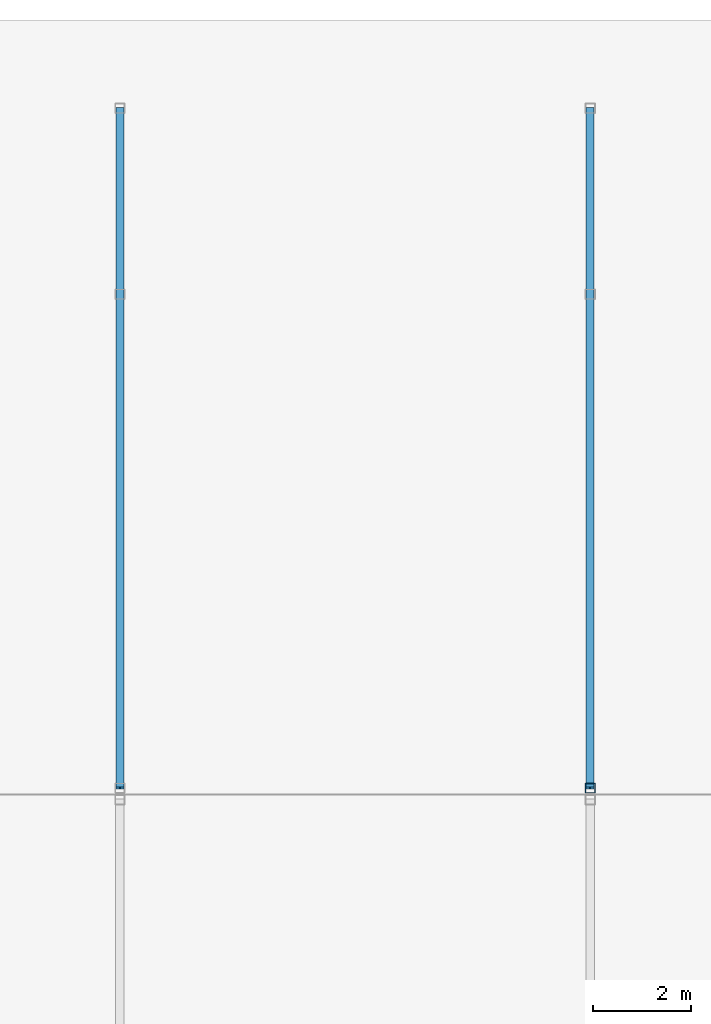
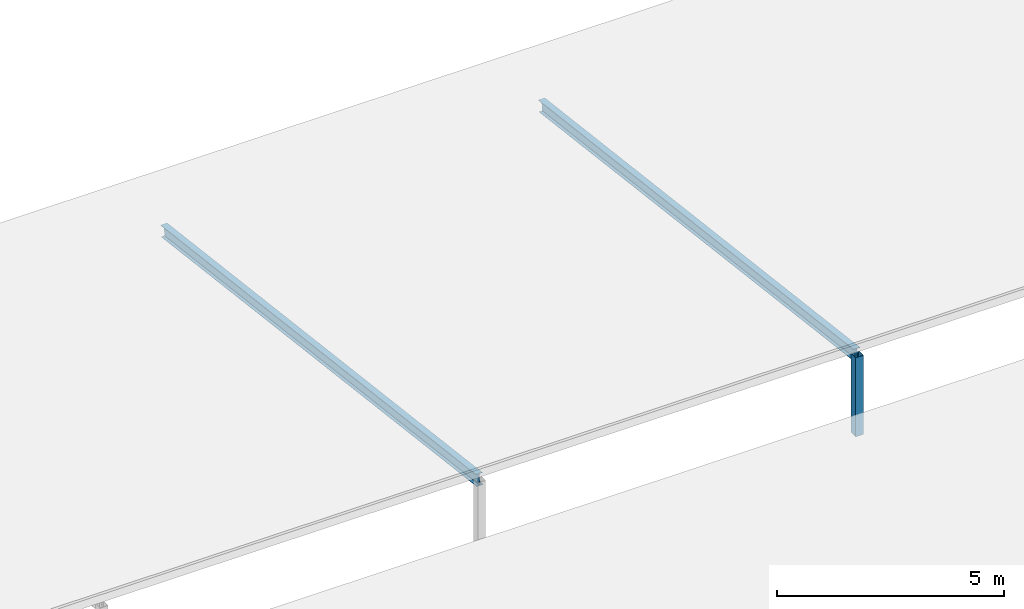
# One storey, part 4 of 11: 3 members.
"""IFC4 building model written with IfcOpenShell, lengths in metres."""

from ifc_helpers import new_model, si_unit, direction, frame, origin, origin_2d, place, context, subcontext, project, spatial, hollow_rectangle, i_section, extrude, material, material_profile, profile_set, type_object, element, save


model = new_model("IFC4")

# Units and contexts
model_context = context("Model", 3, precision=1e-05, world=origin(), true_north=direction((0.0, 1.0)))
body_context = subcontext(model_context, "Body", "Model", "MODEL_VIEW")
ifc_project = project(units=[si_unit("LENGTHUNIT", "METRE"), si_unit("AREAUNIT", "SQUARE_METRE"), si_unit("VOLUMEUNIT", "CUBIC_METRE"), si_unit("PLANEANGLEUNIT", "RADIAN"), si_unit("MASSUNIT", "GRAM", prefix="KILO")], contexts=[model_context])

# Site, building, storey
site_placement = place(None, origin())
site = spatial("IfcSite", under=ifc_project, at=site_placement, CompositionType="ELEMENT")
building_placement = place(site_placement, origin())
building = spatial("IfcBuilding", under=site, at=building_placement, Name="Vondelvale Polytechnic", CompositionType="ELEMENT")
storey_placement = place(building_placement, frame((0.0, 0.0, 34.800048828125)))
storey = spatial("IfcBuildingStorey", under=building, at=storey_placement, Name="Roof", CompositionType="ELEMENT", Elevation=34.800048828125)

# Members
ifc_material_1 = material(Name="Steel 300PLUS (fy = 300 MPa)", Category="steel")
ifc_material_profile_1 = material_profile(ifc_material_1, i_section(OverallWidth=0.166015625, OverallDepth=0.306884765625, WebThickness=0.006591796875, FlangeThickness=0.01171875, FilletRadius=0.011474609375, at=origin_2d()), Name="310UB46.2")
ifc_profile_set_1 = profile_set([ifc_material_profile_1], Name="Steel 300PLUS (fy = 300 MPa)")
member_type_1 = type_object("IfcMemberType", Name="RAFTER UB310", PredefinedType="RAFTER", material=ifc_profile_set_1)
for number, where, z_axis, x_axis, name in (
    (1, (19.199951171875, 20.52001953125, 2.1240234375), (0.0, 0.992468980483, -0.122496215367), (-1.0, 0.0, 0.0), "Corner wing roof rafter 2"),
    (2, (28.800048828125, 20.52001953125, 2.1240234375), (0.0, 0.992468980483, -0.122496215367), (-1.0, 0.0, 0.0), "Corner wing roof rafter 2"),
):
    element("IfcMember", number, at=place(storey_placement, frame(where, z_axis=z_axis, x_axis=x_axis)), inside=storey, type_object=member_type_1, Name=name, PredefinedType="RAFTER", context=body_context, shape_type="SweptSolid", body=[
        extrude(i_section(OverallWidth=0.166015625, OverallDepth=0.306884765625, WebThickness=0.006591796875, FlangeThickness=0.01171875, FilletRadius=0.011474609375, at=origin_2d()), origin(), (0.0, 0.0, 1.0), 13.985107421875),
    ])
ifc_material_2 = material(Name="Steel C350L0 (fy = 350 MPa)", Category="steel")
ifc_material_profile_2 = material_profile(ifc_material_2, hollow_rectangle(XDim=0.199951171875, YDim=0.199951171875, WallThickness=0.009033203125, at=origin_2d()), Name="200x200x9.0SHS")
ifc_profile_set_2 = profile_set([ifc_material_profile_2], Name="Steel C350L0 (fy = 350 MPa)")
member_type_2 = type_object("IfcMemberType", Name="ROOF TRUSS POST 200SHS", PredefinedType="POST", material=ifc_profile_set_2)
member_placement = place(storey_placement, frame((28.800048828125, 20.52001953125, 0.0), z_axis=(0.0, 0.0, 1.0), x_axis=(1.0, 0.0, 0.0)))
element("IfcMember", 3, at=member_placement, inside=storey, type_object=member_type_2, Name="Corner wing roof post 2", PredefinedType="POST", context=body_context, shape_type="SweptSolid", body=[
    extrude(hollow_rectangle(XDim=0.199951171875, YDim=0.199951171875, WallThickness=0.009033203125, at=origin_2d()), origin(), (0.0, 0.0, 1.0), 2.1240234375),
])

save(model, "model.ifc")
